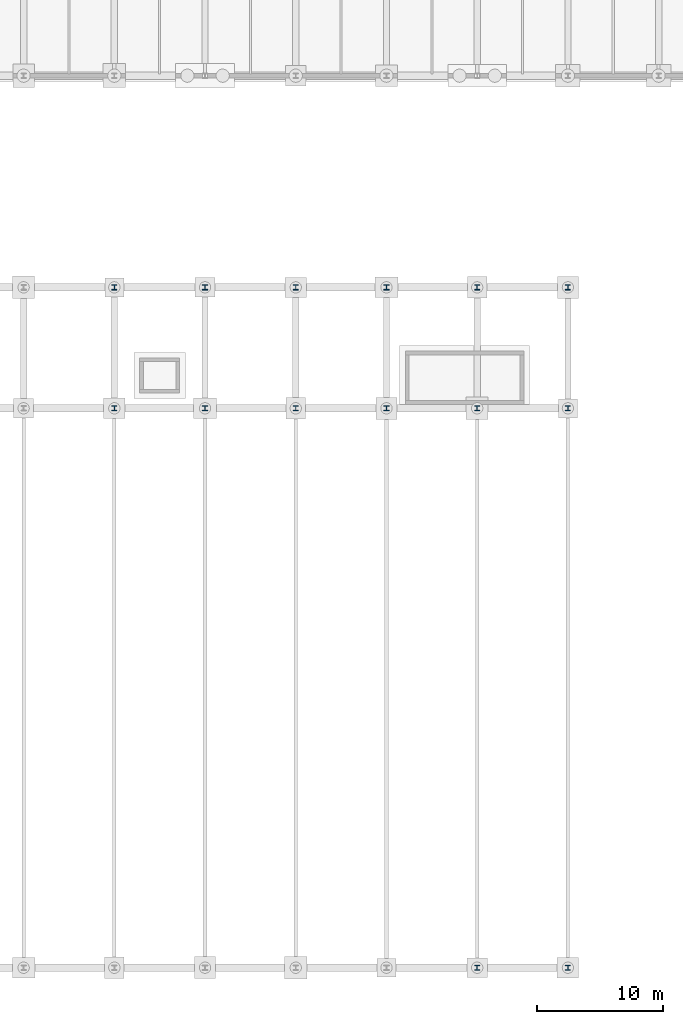
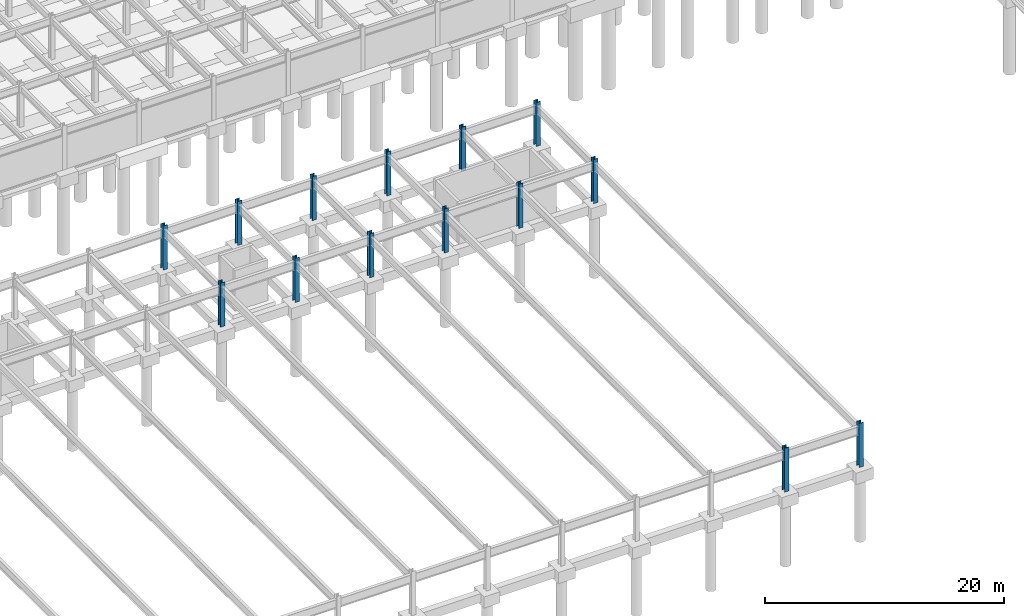
# One storey, part 16 of 54: 14 columns.
"""IFC4 building model written with IfcOpenShell, lengths in metres."""

from ifc_helpers import new_model, si_unit, direction, frame, origin, origin_2d, place, context, subcontext, project, spatial, i_section, extrude, material, material_profile, profile_set, type_object, element, save


model = new_model("IFC4")

# Units and contexts
model_context = context("Model", 3, precision=1e-05, world=origin(), true_north=direction((0.0, 1.0)))
body_context = subcontext(model_context, "Body", "Model", "MODEL_VIEW")
ifc_project = project(units=[si_unit("LENGTHUNIT", "METRE"), si_unit("AREAUNIT", "SQUARE_METRE"), si_unit("VOLUMEUNIT", "CUBIC_METRE"), si_unit("PLANEANGLEUNIT", "RADIAN"), si_unit("MASSUNIT", "GRAM", prefix="KILO")], contexts=[model_context])

# Site, building, storey
site_placement = place(None, origin())
site = spatial("IfcSite", under=ifc_project, at=site_placement, CompositionType="ELEMENT")
building_placement = place(site_placement, origin())
building = spatial("IfcBuilding", under=site, at=building_placement, Name="Vaelcorin Mobility Hub", CompositionType="ELEMENT")
storey_placement = place(building_placement, frame((0.0, 0.0, -4.5)))
storey = spatial("IfcBuildingStorey", under=building, at=storey_placement, Name="B1", CompositionType="ELEMENT", Elevation=-4.5)

# Columns
ifc_material = material(Name="Steel ASTM A992 Grade 50", Category="steel")
ifc_material_profile = material_profile(ifc_material, i_section(OverallWidth=0.408935546875, OverallDepth=0.424072265625, WebThickness=0.03271484375, FlangeThickness=0.052490234375, FilletRadius=0.014892578125, at=origin_2d()), Name="W14X283")
ifc_profile_set = profile_set([ifc_material_profile], Name="Steel ASTM A992 Grade 50")
column_type = type_object("IfcColumnType", Name="COL-W14X283", PredefinedType="COLUMN", material=ifc_profile_set)
for number, where, z_axis, x_axis, name in (
    (1, (72.0, 50.39990234375, 0.0), (0.0, 0.0, 1.0), (1.0, 0.0, 0.0), "Column V1-X06-gal B1"),
    (2, (72.0, 60.0, 0.0), (0.0, 0.0, 1.0), (1.0, 0.0, 0.0), "Column V1-X06-arch_n B1"),
    (3, (79.199951171875, 50.39990234375, 0.0), (0.0, 0.0, 1.0), (1.0, 0.0, 0.0), "Column V1-X07-gal B1"),
    (4, (79.199951171875, 60.0, 0.0), (0.0, 0.0, 1.0), (1.0, 0.0, 0.0), "Column V1-X07-arch_n B1"),
    (5, (86.39990234375, 50.39990234375, 0.0), (0.0, 0.0, 1.0), (1.0, 0.0, 0.0), "Column V1-X08-gal B1"),
    (6, (86.39990234375, 60.0, 0.0), (0.0, 0.0, 1.0), (1.0, 0.0, 0.0), "Column V1-X08-arch_n B1"),
    (7, (93.60009765625, 50.39990234375, 0.0), (0.0, 0.0, 1.0), (1.0, 0.0, 0.0), "Column V1-X09-gal B1"),
    (8, (93.60009765625, 60.0, 0.0), (0.0, 0.0, 1.0), (1.0, 0.0, 0.0), "Column V1-X09-arch_n B1"),
    (9, (100.800048828125, 6.0, 0.0), (0.0, 0.0, 1.0), (1.0, 0.0, 0.0), "Column V1-X10-arch_s B1"),
    (10, (100.800048828125, 50.39990234375, 0.0), (0.0, 0.0, 1.0), (1.0, 0.0, 0.0), "Column V1-X10-gal B1"),
    (11, (100.800048828125, 60.0, 0.0), (0.0, 0.0, 1.0), (1.0, 0.0, 0.0), "Column V1-X10-arch_n B1"),
    (12, (108.0, 6.0, 0.0), (0.0, 0.0, 1.0), (1.0, 0.0, 0.0), "Column V1-X11-arch_s B1"),
    (13, (108.0, 50.39990234375, 0.0), (0.0, 0.0, 1.0), (1.0, 0.0, 0.0), "Column V1-X11-gal B1"),
    (14, (108.0, 60.0, 0.0), (0.0, 0.0, 1.0), (1.0, 0.0, 0.0), "Column V1-X11-arch_n B1"),
):
    element("IfcColumn", number, at=place(storey_placement, frame(where, z_axis=z_axis, x_axis=x_axis)), inside=storey, type_object=column_type, Name=name, PredefinedType="COLUMN", context=body_context, shape_type="SweptSolid", body=[
        extrude(i_section(OverallWidth=0.408935546875, OverallDepth=0.424072265625, WebThickness=0.03271484375, FlangeThickness=0.052490234375, FilletRadius=0.014892578125, at=origin_2d()), origin(), (0.0, 0.0, 1.0), 4.5),
    ])

save(model, "model.ifc")
